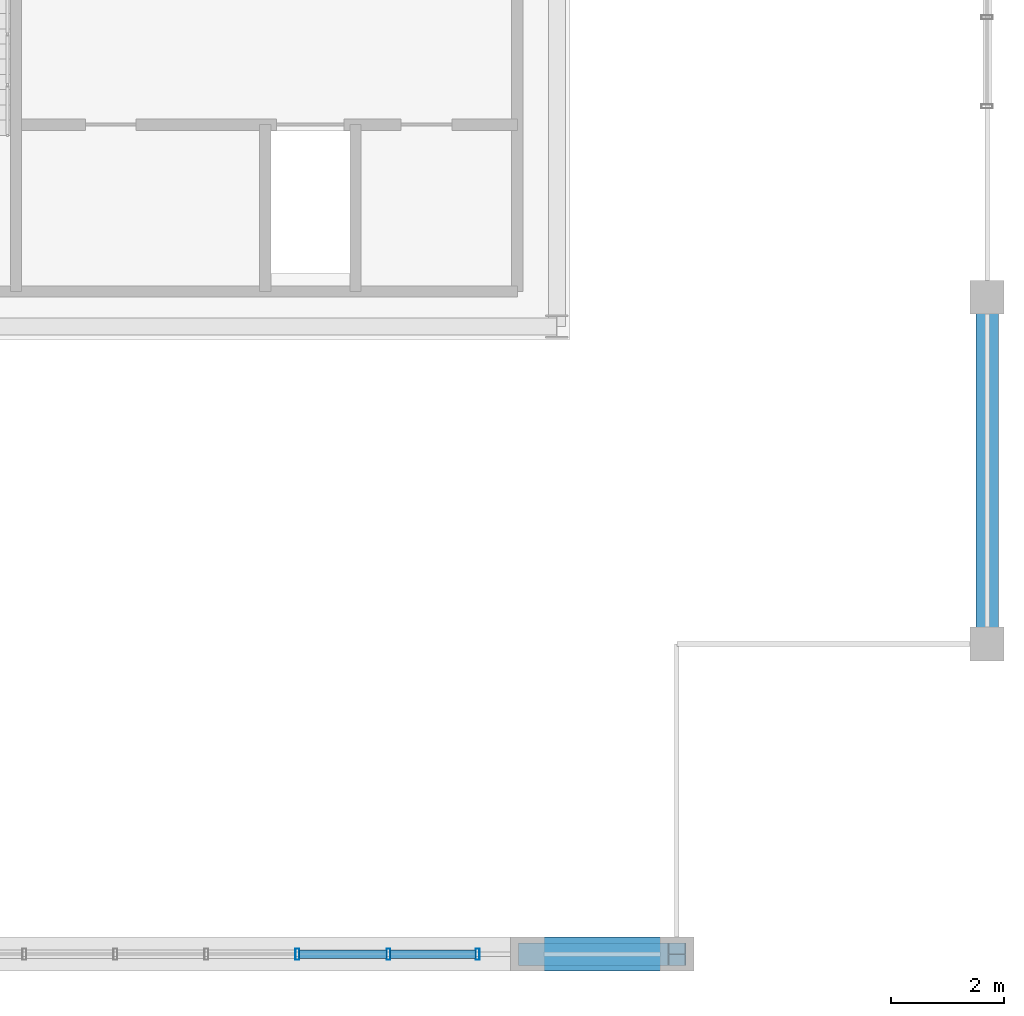
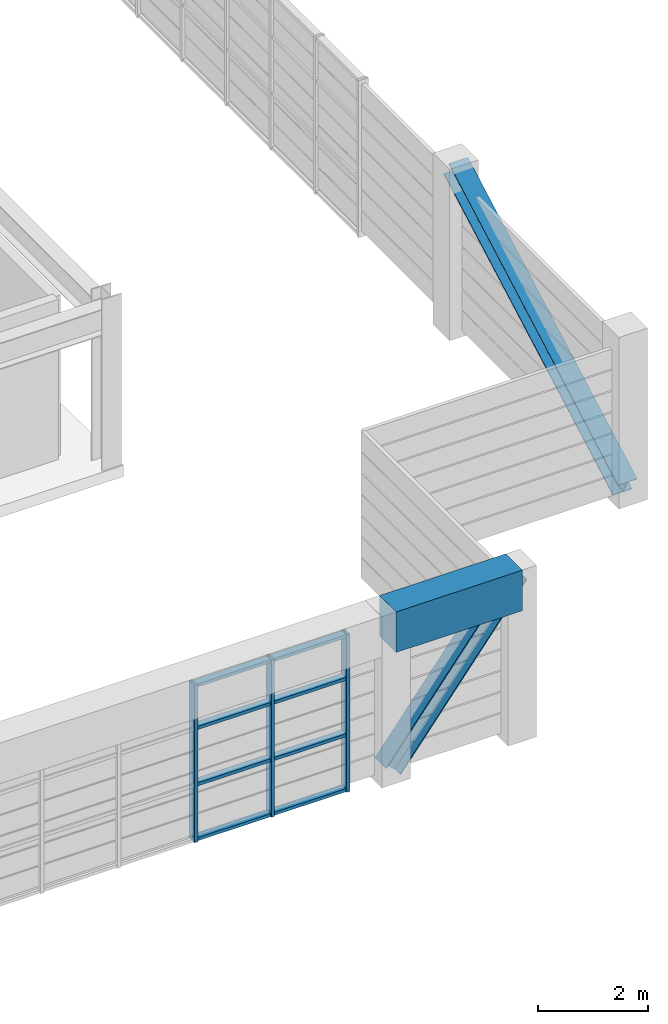
# One storey, part 5 of 21: 13 members, 1 beam, 1 element without a shape of its own.
"""IFC4 building model written with IfcOpenShell, lengths in metres."""

from ifc_helpers import new_model, si_unit, direction, frame, origin, origin_2d, place, context, subcontext, project, spatial, rectangle, hollow_rectangle, i_section, extrude, source, transform, mapped, material, layer, layer_set, material_profile, profile_set, type_object, element, aggregate, save


model = new_model("IFC4")

# Units and contexts
model_context = context("Model", 3, precision=1e-05, world=origin(), true_north=direction((0.0, 1.0)))
body_context = subcontext(model_context, "Body", "Model", "MODEL_VIEW")
ifc_project = project(units=[si_unit("LENGTHUNIT", "METRE"), si_unit("AREAUNIT", "SQUARE_METRE"), si_unit("VOLUMEUNIT", "CUBIC_METRE"), si_unit("PLANEANGLEUNIT", "RADIAN"), si_unit("MASSUNIT", "GRAM", prefix="KILO")], contexts=[model_context])

# Site, building, storey
site_placement = place(None, origin())
site = spatial("IfcSite", under=ifc_project, at=site_placement, CompositionType="ELEMENT")
building_placement = place(site_placement, origin())
building = spatial("IfcBuilding", under=site, at=building_placement, Name="Saelheon Loggia Tower", CompositionType="ELEMENT")
storey_placement = place(building_placement, frame((0.0, 0.0, 259.800048828125)))
storey = spatial("IfcBuildingStorey", under=building, at=storey_placement, Name="CR3", CompositionType="ELEMENT", Elevation=259.800048828125)

# Beam
ifc_material_1 = material(Name="Precast Concrete C45/55", Category="concrete")
ifc_material_profile_1 = material_profile(ifc_material_1, rectangle(XDim=0.60009765625, YDim=0.89990234375, at=origin_2d()), Name="RC-600x900")
ifc_profile_set_1 = profile_set([ifc_material_profile_1], Name="Precast Concrete C45/55")
beam_type = type_object("IfcBeamType", Name="CrownFrame_Ring_RC600x900", PredefinedType="BEAM", material=ifc_profile_set_1)
shared_shape_1 = source(origin(), body_context, "Body", "SweptSolid", [
    extrude(rectangle(XDim=0.60009765625, YDim=0.89990234375, at=origin_2d()), origin(), (0.0, 0.0, 1.0), 2.64990234375),
])
beam_placement = place(storey_placement, frame((44.5, 6.35009765625, 3.349853515625), z_axis=(1.0, 0.0, 0.0), x_axis=(0.0, 1.0, 0.0)))
element("IfcBeam", 1, at=beam_placement, inside=storey, type_object=beam_type, Name="CR3 CROWN FRAME Sill Beam 03", PredefinedType="BEAM", context=body_context, shape_type="MappedRepresentation", body=[
    mapped(shared_shape_1, transform((0.0, 0.0, 0.0), scale=1.0)),
])

# Members
ifc_material_2 = material(Name="Steel SM355", Category="steel")
ifc_material_profile_2 = material_profile(ifc_material_2, i_section(OverallWidth=0.39990234375, OverallDepth=0.39990234375, WebThickness=0.012939453125, FlangeThickness=0.02099609375, at=origin_2d()), Name="H-400x400x13x21")
ifc_profile_set_2 = profile_set([ifc_material_profile_2], Name="Steel SM355")
member_type_1 = type_object("IfcMemberType", Name="CrownFrame_Brace_H400", PredefinedType="BRACE", material=ifc_profile_set_2)
shared_shape_2 = source(origin(), body_context, "Body", "SweptSolid", [
    extrude(i_section(OverallWidth=0.39990234375, OverallDepth=0.39990234375, WebThickness=0.012939453125, FlangeThickness=0.02099609375, at=origin_2d()), origin(), (0.0, 0.0, 1.0), 4.310546875),
])
member_1_placement = place(storey_placement, frame((44.5, 6.35009765625, 0.199951171875), z_axis=(0.614740189852, 0.0, 0.788729674211), x_axis=(0.0, 1.0, 0.0)))
element("IfcMember", 2, at=member_1_placement, inside=storey, type_object=member_type_1, Name="CR3 CROWN FRAME Wind Brace 02", PredefinedType="BRACE", context=body_context, shape_type="MappedRepresentation", body=[
    mapped(shared_shape_2, transform((0.0, 0.0, 0.0), scale=1.0)),
])
shared_shape_3 = source(origin(), body_context, "Body", "SweptSolid", [
    extrude(i_section(OverallWidth=0.39990234375, OverallDepth=0.39990234375, WebThickness=0.012939453125, FlangeThickness=0.02099609375, at=origin_2d()), origin(), (0.0, 0.0, 1.0), 7.027099609375),
])
member_2_placement = place(storey_placement, frame((52.64990234375, 11.85009765625, 0.199951171875), z_axis=(0.0, 0.875164888097, 0.48382478093), x_axis=(-1.0, 0.0, 0.0)))
element("IfcMember", 3, at=member_2_placement, inside=storey, type_object=member_type_1, Name="CR3 CROWN FRAME Wind Brace 03", PredefinedType="BRACE", context=body_context, shape_type="MappedRepresentation", body=[
    mapped(shared_shape_3, transform((0.0, 0.0, 0.0), scale=1.0)),
])

# Curtain wall, members
ifc_material_3 = material(Name="Bronze-Anodised Aluminium and Fritted Ceramic Screen", Category="aluminium")
ifc_layer = layer(ifc_material_3, 0.219970703125)
ifc_layer_set = layer_set([ifc_layer], Name="Bronze-Anodised Aluminium and Fritted Ceramic Screen")
curtain_wall_type = type_object("IfcCurtainWallType", Name="CW_CrownScreen", PredefinedType="NOTDEFINED", material=ifc_layer_set)
curtain_wall_placement = place(storey_placement, origin())
curtain_wall = element("IfcCurtainWall", 4, at=curtain_wall_placement, inside=storey, type_object=curtain_wall_type, Name="CR3 Crown Central Screen Curtain Wall 0", PredefinedType="NOTDEFINED")
ifc_material_4 = material(Name="Bronze-Anodised Aluminium 6063-T6", Category="aluminium")
ifc_material_profile_3 = material_profile(ifc_material_4, hollow_rectangle(XDim=0.070068359375, YDim=0.199951171875, WallThickness=0.0048828125, at=origin_2d()), Name="RHS-200x70x5")
ifc_profile_set_3 = profile_set([ifc_material_profile_3], Name="Bronze-Anodised Aluminium 6063-T6")
member_type_2 = type_object("IfcMemberType", Name="CW_CrownScreen_Mullion", PredefinedType="MULLION", material=ifc_profile_set_3)
shared_shape_4 = source(origin(), body_context, "Body", "SweptSolid", [
    extrude(hollow_rectangle(XDim=0.070068359375, YDim=0.199951171875, WallThickness=0.0048828125, at=origin_2d()), origin(), (0.0, 0.0, 1.0), 3.47998046875),
])
member_3_placement = place(storey_placement, frame((40.42138671875, 6.35009765625, 0.0), z_axis=(0.0, 0.0, 1.0), x_axis=(1.0, 0.0, 0.0)))
member_3 = element("IfcMember", 5, at=member_3_placement, type_object=member_type_2, Name="CW6 mullion 6", PredefinedType="MULLION", context=body_context, shape_type="MappedRepresentation", body=[
    mapped(shared_shape_4, transform((0.0, 0.0, 0.0), scale=1.0)),
])
member_4_placement = place(storey_placement, frame((42.03564453125, 6.35009765625, 0.0), z_axis=(0.0, 0.0, 1.0), x_axis=(1.0, 0.0, 0.0)))
member_4 = element("IfcMember", 6, at=member_4_placement, type_object=member_type_2, Name="CW6 mullion 7", PredefinedType="MULLION", context=body_context, shape_type="MappedRepresentation", body=[
    mapped(shared_shape_4, transform((0.0, 0.0, 0.0), scale=1.0)),
])
member_5_placement = place(storey_placement, frame((43.614990234375, 6.35009765625, 0.0), z_axis=(0.0, 0.0, 1.0), x_axis=(1.0, 0.0, 0.0)))
member_5 = element("IfcMember", 7, at=member_5_placement, type_object=member_type_2, Name="CW6 mullion 8", PredefinedType="MULLION", context=body_context, shape_type="MappedRepresentation", body=[
    mapped(shared_shape_4, transform((0.0, 0.0, 0.0), scale=1.0)),
])
ifc_material_profile_4 = material_profile(ifc_material_4, hollow_rectangle(XDim=0.070068359375, YDim=0.14990234375, WallThickness=0.0048828125, at=origin_2d()), Name="RHS-150x70x5")
ifc_profile_set_4 = profile_set([ifc_material_profile_4], Name="Bronze-Anodised Aluminium 6063-T6")
member_type_3 = type_object("IfcMemberType", Name="CW_CrownScreen_Transom", PredefinedType="USERDEFINED", material=ifc_profile_set_4)
shared_shape_5 = source(origin(), body_context, "Body", "SweptSolid", [
    extrude(hollow_rectangle(XDim=0.070068359375, YDim=0.14990234375, WallThickness=0.0048828125, at=origin_2d()), origin(), (0.0, 0.0, 1.0), 1.50927734375),
])
member_6_placement = place(storey_placement, frame((42.07080078125, 6.35009765625, 0.034912109375), z_axis=(1.0, 0.0, 0.0), x_axis=(0.0, 0.0, 1.0)))
member_6 = element("IfcMember", 8, at=member_6_placement, type_object=member_type_3, Name="CW6 transom 7.1", ObjectType="TRANSOM", PredefinedType="USERDEFINED", context=body_context, shape_type="MappedRepresentation", body=[
    mapped(shared_shape_5, transform((0.0, 0.0, 0.0), scale=1.0)),
])
member_7_placement = place(storey_placement, frame((42.07080078125, 6.35009765625, 1.25), z_axis=(1.0, 0.0, 0.0), x_axis=(0.0, 0.0, 1.0)))
member_7 = element("IfcMember", 9, at=member_7_placement, type_object=member_type_3, Name="CW6 transom 7.2", ObjectType="TRANSOM", PredefinedType="USERDEFINED", context=body_context, shape_type="MappedRepresentation", body=[
    mapped(shared_shape_5, transform((0.0, 0.0, 0.0), scale=1.0)),
])
member_8_placement = place(storey_placement, frame((42.07080078125, 6.35009765625, 2.5), z_axis=(1.0, 0.0, 0.0), x_axis=(0.0, 0.0, 1.0)))
member_8 = element("IfcMember", 10, at=member_8_placement, type_object=member_type_3, Name="CW6 transom 7.3", ObjectType="TRANSOM", PredefinedType="USERDEFINED", context=body_context, shape_type="MappedRepresentation", body=[
    mapped(shared_shape_5, transform((0.0, 0.0, 0.0), scale=1.0)),
])
member_9_placement = place(storey_placement, frame((42.07080078125, 6.35009765625, 3.445068359375), z_axis=(1.0, 0.0, 0.0), x_axis=(0.0, 0.0, 1.0)))
member_9 = element("IfcMember", 11, at=member_9_placement, type_object=member_type_3, Name="CW6 transom 7.4", ObjectType="TRANSOM", PredefinedType="USERDEFINED", context=body_context, shape_type="MappedRepresentation", body=[
    mapped(shared_shape_5, transform((0.0, 0.0, 0.0), scale=1.0)),
])
shared_shape_6 = source(origin(), body_context, "Body", "SweptSolid", [
    extrude(hollow_rectangle(XDim=0.070068359375, YDim=0.14990234375, WallThickness=0.0048828125, at=origin_2d()), origin(), (0.0, 0.0, 1.0), 1.544189453125),
])
member_10_placement = place(storey_placement, frame((40.45654296875, 6.35009765625, 0.034912109375), z_axis=(1.0, 0.0, 0.0), x_axis=(0.0, 0.0, 1.0)))
member_10 = element("IfcMember", 12, at=member_10_placement, type_object=member_type_3, Name="CW6 transom 6.1", ObjectType="TRANSOM", PredefinedType="USERDEFINED", context=body_context, shape_type="MappedRepresentation", body=[
    mapped(shared_shape_6, transform((0.0, 0.0, 0.0), scale=1.0)),
])
member_11_placement = place(storey_placement, frame((40.45654296875, 6.35009765625, 1.25), z_axis=(1.0, 0.0, 0.0), x_axis=(0.0, 0.0, 1.0)))
member_11 = element("IfcMember", 13, at=member_11_placement, type_object=member_type_3, Name="CW6 transom 6.2", ObjectType="TRANSOM", PredefinedType="USERDEFINED", context=body_context, shape_type="MappedRepresentation", body=[
    mapped(shared_shape_6, transform((0.0, 0.0, 0.0), scale=1.0)),
])
member_12_placement = place(storey_placement, frame((40.45654296875, 6.35009765625, 2.5), z_axis=(1.0, 0.0, 0.0), x_axis=(0.0, 0.0, 1.0)))
member_12 = element("IfcMember", 14, at=member_12_placement, type_object=member_type_3, Name="CW6 transom 6.3", ObjectType="TRANSOM", PredefinedType="USERDEFINED", context=body_context, shape_type="MappedRepresentation", body=[
    mapped(shared_shape_6, transform((0.0, 0.0, 0.0), scale=1.0)),
])
member_13_placement = place(storey_placement, frame((40.45654296875, 6.35009765625, 3.445068359375), z_axis=(1.0, 0.0, 0.0), x_axis=(0.0, 0.0, 1.0)))
member_13 = element("IfcMember", 15, at=member_13_placement, type_object=member_type_3, Name="CW6 transom 6.4", ObjectType="TRANSOM", PredefinedType="USERDEFINED", context=body_context, shape_type="MappedRepresentation", body=[
    mapped(shared_shape_6, transform((0.0, 0.0, 0.0), scale=1.0)),
])
aggregate(curtain_wall, [member_3, member_4, member_5, member_10, member_11, member_12, member_13, member_6, member_7, member_8, member_9])

save(model, "model.ifc")
